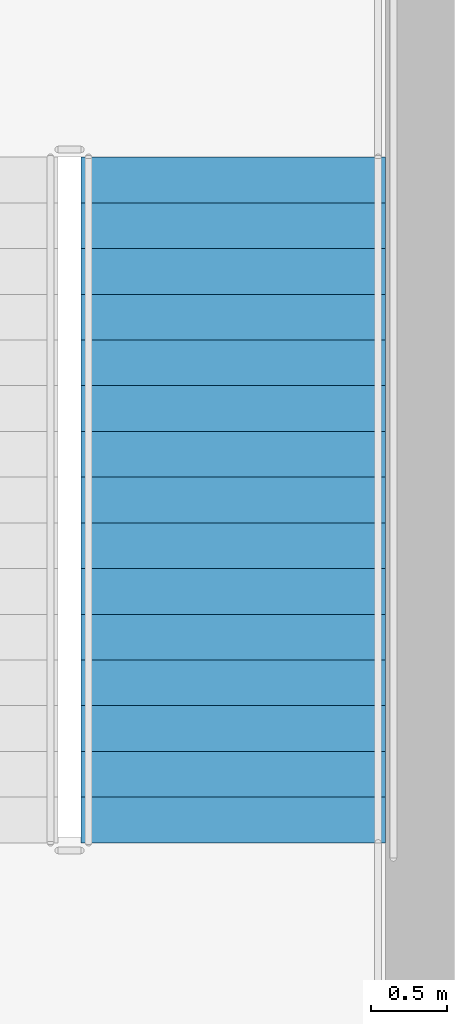
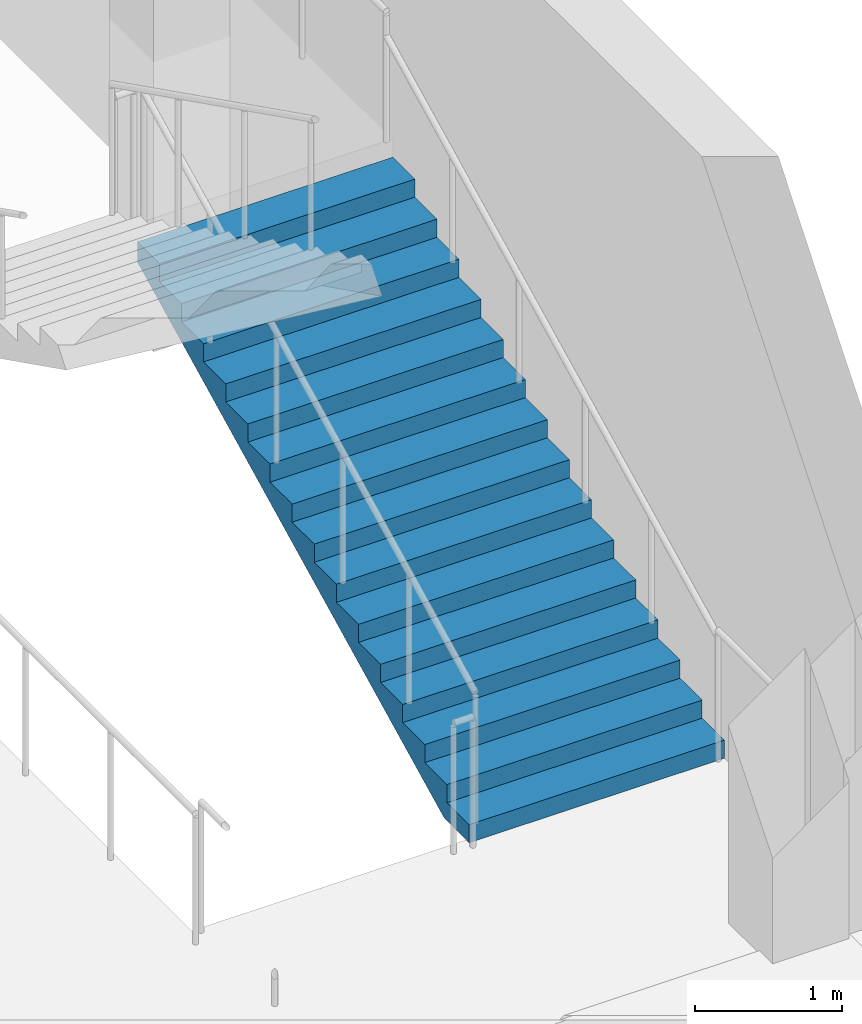
# One storey, part 64 of 86: 1 stair flight, 1 element without a shape of its own.
"""IFC4 building model written with IfcOpenShell, lengths in metres."""

import ifcopenshell
import ifcopenshell.guid

model = None  # the IFC model being written
_history = None  # IfcOwnerHistory: only IFC2X3 demands one
_inside = {}  # id of a spatial element -> (the spatial element, [elements in it])
_under = {}  # id of a project, library or spatial element -> (it, [spatial elements below it])
_declared = {}  # id of a project -> (the project, [libraries it declares])
_typed = {}  # id of a type object -> (the type object, [elements of that type])
_made_of = {}  # id of a material, layer set ... -> (it, [elements and type objects made of it])


def new_model(schema):
    """Start an empty IFC model of exactly this schema.

    Asked for "IFC4X3", IfcOpenShell would pick the latest addendum, in which some entities
    have other attributes; the version numbers below select the first issue.
    IFC2X3 requires an IfcOwnerHistory on every rooted entity: one is made here for all.
    """
    global model, _history
    if schema == "IFC4X3":
        model = ifcopenshell.file(schema_version=(4, 3, 0, 0))
    else:
        model = ifcopenshell.file(schema=schema)
    _inside.clear()
    _under.clear()
    _declared.clear()
    _typed.clear()
    _made_of.clear()
    _history = None
    if model.schema == "IFC2X3":
        org = make("IfcOrganization", Name="unknown")
        user = make(
            "IfcPersonAndOrganization",
            ThePerson=make("IfcPerson", FamilyName="unknown"),
            TheOrganization=org,
        )
        app = make(
            "IfcApplication",
            ApplicationDeveloper=org,
            Version="unknown",
            ApplicationFullName="unknown",
            ApplicationIdentifier="unknown",
        )
        _history = make(
            "IfcOwnerHistory",
            OwningUser=user,
            OwningApplication=app,
            ChangeAction="ADDED",
            CreationDate=0,
        )
    return model


def make(cls, **values):
    """One entity of the class cls with the attributes given. An attribute that is None is left unset."""
    return model.create_entity(
        cls, **{name: value for name, value in values.items() if value is not None}
    )


def rooted(cls, **values):
    """An entity with a GlobalId (a new one), such as an element, a storey or a relation."""
    return make(cls, GlobalId=ifcopenshell.guid.new(), OwnerHistory=_history, **values)


def si_unit(unit_type, name, prefix=None):
    """IfcSIUnit, for example si_unit("LENGTHUNIT", "METRE", prefix="MILLI")."""
    return make("IfcSIUnit", UnitType=unit_type, Prefix=prefix, Name=name)


def assignment(units):
    """IfcUnitAssignment: the units of a project."""
    return None if units is None else make("IfcUnitAssignment", Units=units)


def point(xyz):
    """IfcCartesianPoint."""
    return None if xyz is None else make("IfcCartesianPoint", Coordinates=xyz)


def direction(xyz):
    """IfcDirection."""
    return None if xyz is None else make("IfcDirection", DirectionRatios=xyz)


def frame(location, z_axis=None, x_axis=None):
    """IfcAxis2Placement3D, a coordinate frame: its origin and axes. An axis left out is left unset."""
    return make(
        "IfcAxis2Placement3D",
        Location=point(location),
        Axis=direction(z_axis),
        RefDirection=direction(x_axis),
    )


def origin():
    """The frame at (0, 0, 0) with its axes left unset."""
    return frame((0.0, 0.0, 0.0))


def place(relative_to, where):
    """IfcLocalPlacement: puts the frame where relative to a parent placement (None: the world)."""
    return make(
        "IfcLocalPlacement", PlacementRelTo=relative_to, RelativePlacement=where
    )


def context(
    kind, dimensions, precision=None, world=None, true_north=None, identifier=None
):
    """IfcGeometricRepresentationContext, for example the 3D "Model" context."""
    return make(
        "IfcGeometricRepresentationContext",
        ContextIdentifier=identifier,
        ContextType=kind,
        CoordinateSpaceDimension=dimensions,
        Precision=precision,
        WorldCoordinateSystem=world,
        TrueNorth=true_north,
    )


def subcontext(parent, identifier, kind, view, scale=None):
    """IfcGeometricRepresentationSubContext, for example "Body" below "Model"."""
    return make(
        "IfcGeometricRepresentationSubContext",
        ContextIdentifier=identifier,
        ContextType=kind,
        ParentContext=parent,
        TargetScale=scale,
        TargetView=view,
    )


def project(units=None, contexts=None):
    """IfcProject with its units and contexts."""
    return rooted(
        "IfcProject",
        Name="project",
        RepresentationContexts=contexts,
        UnitsInContext=assignment(units),
    )


def spatial(cls, under=None, at=None, **own):
    """A site, building, storey or space (cls), placed at a placement, below another one or the project."""
    s = rooted(cls, ObjectPlacement=at, **own)
    if under is not None:
        _under.setdefault(under.id(), (under, []))[1].append(s)
    return s


def faces_of(points, faces, orient=None, outer=None):
    """IfcFace entities. A face is a list of loops; a loop is a list of indices into points, from 0.

    orient and outer hold one flag for each loop. By default every Orientation is true, the
    first loop of a face is its IfcFaceOuterBound and the others are IfcFaceBound.
    """
    made = []
    for i, loops in enumerate(faces):
        bounds = []
        for j, loop in enumerate(loops):
            is_outer = j == 0 if outer is None else outer[i][j]
            bounds.append(
                make(
                    "IfcFaceOuterBound" if is_outer else "IfcFaceBound",
                    Bound=make("IfcPolyLoop", Polygon=[points[k] for k in loop]),
                    Orientation=True if orient is None else orient[i][j],
                )
            )
        made.append(make("IfcFace", Bounds=bounds))
    return made


def faceted_brep(points, faces, orient=None, outer=None, voids=None):
    """IfcFacetedBrep: a solid bounded by flat faces; with voids (closed shells), ...WithVoids."""
    shared = [point(p) for p in points]
    hull = make("IfcClosedShell", CfsFaces=faces_of(shared, faces, orient, outer))
    if voids is None:
        return make("IfcFacetedBrep", Outer=hull)
    return make(
        "IfcFacetedBrepWithVoids",
        Outer=hull,
        Voids=[
            make(cls, CfsFaces=faces_of(shared, fs, o, b)) for cls, fs, o, b in voids
        ],
    )


def shape(context_of_items, identifier, shape_type, items):
    """IfcShapeRepresentation: the items that make up one representation, for example the "Body"."""
    return make(
        "IfcShapeRepresentation",
        ContextOfItems=context_of_items,
        RepresentationIdentifier=identifier,
        RepresentationType=shape_type,
        Items=items,
    )


def material(Name=None, Category=None):
    """IfcMaterial."""
    return make("IfcMaterial", Name=Name, Category=Category)


def made_of(thing, what):
    """Note that an element or type object is made of a material, layer set ...; save() writes the relation."""
    if what is not None:
        _made_of.setdefault(what.id(), (what, []))[1].append(thing)
    return thing


def type_object(cls, material=None, **own):
    """A type object (cls), such as IfcWallType, which elements share."""
    return made_of(rooted(cls, **own), material)


def element(
    cls,
    number,
    at=None,
    inside=None,
    cuts=None,
    type_object=None,
    material=None,
    context=None,
    identifier="Body",
    shape_type=None,
    held_by="IfcProductDefinitionShape",
    body=None,
    shapes=None,
    **own,
):
    """One element of the class cls, such as IfcWall. Its Tag is "e" and its number.

    at: its placement. inside: the storey or other place that contains it. cuts: it is an
    opening in that element (IfcRelVoidsElement). A single representation is given by context,
    identifier, shape_type and body (its items); several are given by shapes. held_by: the class
    of the entity that holds the representations. save() writes the other relations.
    """
    e = rooted(cls, Tag="e%d" % number, ObjectPlacement=at, **own)
    if body is not None:
        shapes = [shape(context, identifier, shape_type, body)]
    if shapes is not None:
        e.Representation = make(held_by, Representations=shapes)
    if inside is not None:
        _inside.setdefault(inside.id(), (inside, []))[1].append(e)
    if cuts is not None:
        rooted(
            "IfcRelVoidsElement", RelatingBuildingElement=cuts, RelatedOpeningElement=e
        )
    if type_object is not None:
        _typed.setdefault(type_object.id(), (type_object, []))[1].append(e)
    return made_of(e, material)


def aggregate(whole, parts):
    """IfcRelAggregates: a whole, such as a stair, and the parts it consists of."""
    return rooted("IfcRelAggregates", RelatingObject=whole, RelatedObjects=parts)


def save(model, path):
    """Write the relations noted so far, then the file.

    IfcRelAggregates (storeys below a building ...), IfcRelContainedInSpatialStructure (elements
    in a storey), IfcRelDefinesByType, IfcRelAssociatesMaterial and IfcRelDeclares: one each for
    every whole, place, type object, material and project.
    """
    for whole, parts in _under.values():
        aggregate(whole, parts)
    for where, things in _inside.values():
        rooted(
            "IfcRelContainedInSpatialStructure",
            RelatedElements=things,
            RelatingStructure=where,
        )
    for kind, things in _typed.values():
        rooted("IfcRelDefinesByType", RelatedObjects=things, RelatingType=kind)
    for what, things in _made_of.values():
        rooted("IfcRelAssociatesMaterial", RelatedObjects=things, RelatingMaterial=what)
    for by, libraries in _declared.values():
        rooted("IfcRelDeclares", RelatingContext=by, RelatedDefinitions=libraries)
    model.write(path)


model = new_model("IFC4")

# Units and contexts
model_context = context("Model", 3, precision=1e-05, world=origin(), true_north=direction((0.0, 1.0)))
body_context = subcontext(model_context, "Body", "Model", "MODEL_VIEW")
ifc_project = project(units=[si_unit("LENGTHUNIT", "METRE"), si_unit("AREAUNIT", "SQUARE_METRE"), si_unit("VOLUMEUNIT", "CUBIC_METRE"), si_unit("PLANEANGLEUNIT", "RADIAN"), si_unit("MASSUNIT", "GRAM", prefix="KILO")], contexts=[model_context])

# Site, building, storey
site_placement = place(None, origin())
site = spatial("IfcSite", under=ifc_project, at=site_placement, CompositionType="ELEMENT")
building_placement = place(site_placement, origin())
building = spatial("IfcBuilding", under=site, at=building_placement, Name="Kiln Court Media Centre", CompositionType="ELEMENT")
storey_placement = place(building_placement, frame((0.0, 0.0, 10.199951171875)))
storey = spatial("IfcBuildingStorey", under=building, at=storey_placement, Name="L02", CompositionType="ELEMENT", Elevation=10.199951171875)

# Stair, stair flight
ifc_material_1 = material(Name="Concrete C40/50", Category="concrete")
stair_type = type_object("IfcStairType", Name="Concrete C40/50 dog-leg stair 2000 wide, 150 riser", PredefinedType="HALF_TURN_STAIR", material=ifc_material_1)
stair_placement = place(storey_placement, origin())
stair = element("IfcStair", 1, at=stair_placement, inside=storey, type_object=stair_type, Name="ST-F1 L02", PredefinedType="HALF_TURN_STAIR")
ifc_material_2 = material(Name="Concrete C40/50", Category="concrete")
stair_flight_type = type_object("IfcStairFlightType", Name="Concrete C40/50 stair flight 2000 wide, 150 riser, 300 going", PredefinedType="STRAIGHT", material=ifc_material_2)
stair_flight_placement = place(storey_placement, frame((57.800048828125, 35.60009765625, 0.0), z_axis=(0.0, 0.0, 1.0), x_axis=(0.0, 1.0, 0.0)))
stair_flight = element("IfcStairFlight", 2, at=stair_flight_placement, type_object=stair_flight_type, Name="L02-ST-5010 flight 5020", NumberOfRisers=16, NumberOfTreads=15, PredefinedType="STRAIGHT", RiserHeight=0.15, TreadLength=0.3, context=body_context, shape_type="Brep", body=[
    faceted_brep([(0.335205078125, -1.0, 0.0), (4.5, -1.0, 2.08251953125), (4.5, -1.0, 2.25), (4.199951171875, -1.0, 2.25), (4.199951171875, -1.0, 2.10009765625), (3.89990234375, -1.0, 2.10009765625), (3.89990234375, -1.0, 1.949951171875), (3.60009765625, -1.0, 1.949951171875), (3.60009765625, -1.0, 1.800048828125), (3.300048828125, -1.0, 1.800048828125), (3.300048828125, -1.0, 1.64990234375), (3.0, -1.0, 1.64990234375), (3.0, -1.0, 1.5), (2.699951171875, -1.0, 1.5), (2.699951171875, -1.0, 1.35009765625), (2.39990234375, -1.0, 1.35009765625), (2.39990234375, -1.0, 1.199951171875), (2.10009765625, -1.0, 1.199951171875), (2.10009765625, -1.0, 1.050048828125), (1.800048828125, -1.0, 1.050048828125), (1.800048828125, -1.0, 0.89990234375), (1.5, -1.0, 0.89990234375), (1.5, -1.0, 0.75), (1.199951171875, -1.0, 0.75), (1.199951171875, -1.0, 0.60009765625), (0.89990234375, -1.0, 0.60009765625), (0.89990234375, -1.0, 0.449951171875), (0.60009765625, -1.0, 0.449951171875), (0.60009765625, -1.0, 0.300048828125), (0.300048828125, -1.0, 0.300048828125), (0.300048828125, -1.0, 0.14990234375), (0.0, -1.0, 0.14990234375), (0.0, -1.0, 0.0), (0.0, 1.0, 0.0), (0.0, 1.0, 0.14990234375), (0.300048828125, 1.0, 0.14990234375), (0.300048828125, 1.0, 0.300048828125), (0.60009765625, 1.0, 0.300048828125), (0.60009765625, 1.0, 0.449951171875), (0.89990234375, 1.0, 0.449951171875), (0.89990234375, 1.0, 0.60009765625), (1.199951171875, 1.0, 0.60009765625), (1.199951171875, 1.0, 0.75), (1.5, 1.0, 0.75), (1.5, 1.0, 0.89990234375), (1.800048828125, 1.0, 0.89990234375), (1.800048828125, 1.0, 1.050048828125), (2.10009765625, 1.0, 1.050048828125), (2.10009765625, 1.0, 1.199951171875), (2.39990234375, 1.0, 1.199951171875), (2.39990234375, 1.0, 1.35009765625), (2.699951171875, 1.0, 1.35009765625), (2.699951171875, 1.0, 1.5), (3.0, 1.0, 1.5), (3.0, 1.0, 1.64990234375), (3.300048828125, 1.0, 1.64990234375), (3.300048828125, 1.0, 1.800048828125), (3.60009765625, 1.0, 1.800048828125), (3.60009765625, 1.0, 1.949951171875), (3.89990234375, 1.0, 1.949951171875), (3.89990234375, 1.0, 2.10009765625), (4.199951171875, 1.0, 2.10009765625), (4.199951171875, 1.0, 2.25), (4.5, 1.0, 2.25), (4.5, 1.0, 2.08251953125), (0.335205078125, 1.0, 0.0), (4.5, 0.10009765625, 2.08251953125), (0.335205078125, 0.10009765625, 0.0), (4.5, 0.080078125, 2.08251953125), (0.335205078125, 0.080078125, 0.0), (4.5, 0.06005859375, 2.08251953125), (0.335205078125, 0.06005859375, 0.0), (4.5, 0.0400390625, 2.08251953125), (0.335205078125, 0.0400390625, 0.0), (4.5, 0.02001953125, 2.08251953125), (0.335205078125, 0.02001953125, 0.0), (4.5, 0.0, 2.08251953125), (0.335205078125, 0.0, 0.0), (4.5, -0.02001953125, 2.08251953125), (0.335205078125, -0.02001953125, 0.0), (4.5, -0.0400390625, 2.08251953125), (0.335205078125, -0.0400390625, 0.0), (4.5, -0.06005859375, 2.08251953125), (0.335205078125, -0.06005859375, 0.0), (4.5, -0.080078125, 2.08251953125), (0.335205078125, -0.080078125, 0.0), (4.5, -0.10009765625, 2.08251953125), (0.335205078125, -0.10009765625, 0.0), (4.5, 0.10009765625, 2.25), (4.5, 0.080078125, 2.25), (4.5, 0.06005859375, 2.25), (4.5, 0.0400390625, 2.25), (4.5, 0.02001953125, 2.25), (4.5, 0.0, 2.25), (4.5, -0.02001953125, 2.25), (4.5, -0.0400390625, 2.25), (4.5, -0.06005859375, 2.25), (4.5, -0.080078125, 2.25), (4.5, -0.10009765625, 2.25), (4.199951171875, 0.10009765625, 2.25), (4.199951171875, 0.080078125, 2.25), (4.199951171875, 0.06005859375, 2.25), (4.199951171875, 0.0400390625, 2.25), (4.199951171875, 0.02001953125, 2.25), (4.199951171875, 0.0, 2.25), (4.199951171875, -0.02001953125, 2.25), (4.199951171875, -0.0400390625, 2.25), (4.199951171875, -0.06005859375, 2.25), (4.199951171875, -0.080078125, 2.25), (4.199951171875, -0.10009765625, 2.25), (4.199951171875, 0.10009765625, 2.10009765625), (4.199951171875, 0.080078125, 2.10009765625), (4.199951171875, 0.06005859375, 2.10009765625), (4.199951171875, 0.0400390625, 2.10009765625), (4.199951171875, 0.02001953125, 2.10009765625), (4.199951171875, 0.0, 2.10009765625), (4.199951171875, -0.02001953125, 2.10009765625), (4.199951171875, -0.0400390625, 2.10009765625), (4.199951171875, -0.06005859375, 2.10009765625), (4.199951171875, -0.080078125, 2.10009765625), (4.199951171875, -0.10009765625, 2.10009765625), (3.89990234375, 0.10009765625, 2.10009765625), (3.89990234375, 0.080078125, 2.10009765625), (3.89990234375, 0.06005859375, 2.10009765625), (3.89990234375, 0.0400390625, 2.10009765625), (3.89990234375, 0.02001953125, 2.10009765625), (3.89990234375, 0.0, 2.10009765625), (3.89990234375, -0.02001953125, 2.10009765625), (3.89990234375, -0.0400390625, 2.10009765625), (3.89990234375, -0.06005859375, 2.10009765625), (3.89990234375, -0.080078125, 2.10009765625), (3.89990234375, -0.10009765625, 2.10009765625), (3.89990234375, 0.10009765625, 1.949951171875), (3.89990234375, 0.080078125, 1.949951171875), (3.89990234375, 0.06005859375, 1.949951171875), (3.89990234375, 0.0400390625, 1.949951171875), (3.89990234375, 0.02001953125, 1.949951171875), (3.89990234375, 0.0, 1.949951171875), (3.89990234375, -0.02001953125, 1.949951171875), (3.89990234375, -0.0400390625, 1.949951171875), (3.89990234375, -0.06005859375, 1.949951171875), (3.89990234375, -0.080078125, 1.949951171875), (3.89990234375, -0.10009765625, 1.949951171875), (3.60009765625, 0.10009765625, 1.949951171875), (3.60009765625, 0.080078125, 1.949951171875), (3.60009765625, 0.06005859375, 1.949951171875), (3.60009765625, 0.0400390625, 1.949951171875), (3.60009765625, 0.02001953125, 1.949951171875), (3.60009765625, 0.0, 1.949951171875), (3.60009765625, -0.02001953125, 1.949951171875), (3.60009765625, -0.0400390625, 1.949951171875), (3.60009765625, -0.06005859375, 1.949951171875), (3.60009765625, -0.080078125, 1.949951171875), (3.60009765625, -0.10009765625, 1.949951171875), (3.60009765625, 0.10009765625, 1.800048828125), (3.60009765625, 0.080078125, 1.800048828125), (3.60009765625, 0.06005859375, 1.800048828125), (3.60009765625, 0.0400390625, 1.800048828125), (3.60009765625, 0.02001953125, 1.800048828125), (3.60009765625, 0.0, 1.800048828125), (3.60009765625, -0.02001953125, 1.800048828125), (3.60009765625, -0.0400390625, 1.800048828125), (3.60009765625, -0.06005859375, 1.800048828125), (3.60009765625, -0.080078125, 1.800048828125), (3.60009765625, -0.10009765625, 1.800048828125), (3.300048828125, 0.10009765625, 1.800048828125), (3.300048828125, 0.080078125, 1.800048828125), (3.300048828125, 0.06005859375, 1.800048828125), (3.300048828125, 0.0400390625, 1.800048828125), (3.300048828125, 0.02001953125, 1.800048828125), (3.300048828125, 0.0, 1.800048828125), (3.300048828125, -0.02001953125, 1.800048828125), (3.300048828125, -0.0400390625, 1.800048828125), (3.300048828125, -0.06005859375, 1.800048828125), (3.300048828125, -0.080078125, 1.800048828125), (3.300048828125, -0.10009765625, 1.800048828125), (3.300048828125, 0.10009765625, 1.64990234375), (3.300048828125, 0.080078125, 1.64990234375), (3.300048828125, 0.06005859375, 1.64990234375), (3.300048828125, 0.0400390625, 1.64990234375), (3.300048828125, 0.02001953125, 1.64990234375), (3.300048828125, 0.0, 1.64990234375), (3.300048828125, -0.02001953125, 1.64990234375), (3.300048828125, -0.0400390625, 1.64990234375), (3.300048828125, -0.06005859375, 1.64990234375), (3.300048828125, -0.080078125, 1.64990234375), (3.300048828125, -0.10009765625, 1.64990234375), (3.0, 0.10009765625, 1.64990234375), (3.0, 0.080078125, 1.64990234375), (3.0, 0.06005859375, 1.64990234375), (3.0, 0.0400390625, 1.64990234375), (3.0, 0.02001953125, 1.64990234375), (3.0, 0.0, 1.64990234375), (3.0, -0.02001953125, 1.64990234375), (3.0, -0.0400390625, 1.64990234375), (3.0, -0.06005859375, 1.64990234375), (3.0, -0.080078125, 1.64990234375), (3.0, -0.10009765625, 1.64990234375), (3.0, 0.10009765625, 1.5), (3.0, 0.080078125, 1.5), (3.0, 0.06005859375, 1.5), (3.0, 0.0400390625, 1.5), (3.0, 0.02001953125, 1.5), (3.0, 0.0, 1.5), (3.0, -0.02001953125, 1.5), (3.0, -0.0400390625, 1.5), (3.0, -0.06005859375, 1.5), (3.0, -0.080078125, 1.5), (3.0, -0.10009765625, 1.5), (2.699951171875, 0.10009765625, 1.5), (2.699951171875, 0.080078125, 1.5), (2.699951171875, 0.06005859375, 1.5), (2.699951171875, 0.0400390625, 1.5), (2.699951171875, 0.02001953125, 1.5), (2.699951171875, 0.0, 1.5), (2.699951171875, -0.02001953125, 1.5), (2.699951171875, -0.0400390625, 1.5), (2.699951171875, -0.06005859375, 1.5), (2.699951171875, -0.080078125, 1.5), (2.699951171875, -0.10009765625, 1.5), (2.699951171875, 0.10009765625, 1.35009765625), (2.699951171875, 0.080078125, 1.35009765625), (2.699951171875, 0.06005859375, 1.35009765625), (2.699951171875, 0.0400390625, 1.35009765625), (2.699951171875, 0.02001953125, 1.35009765625), (2.699951171875, 0.0, 1.35009765625), (2.699951171875, -0.02001953125, 1.35009765625), (2.699951171875, -0.0400390625, 1.35009765625), (2.699951171875, -0.06005859375, 1.35009765625), (2.699951171875, -0.080078125, 1.35009765625), (2.699951171875, -0.10009765625, 1.35009765625), (2.39990234375, 0.10009765625, 1.35009765625), (2.39990234375, 0.080078125, 1.35009765625), (2.39990234375, 0.06005859375, 1.35009765625), (2.39990234375, 0.0400390625, 1.35009765625), (2.39990234375, 0.02001953125, 1.35009765625), (2.39990234375, 0.0, 1.35009765625), (2.39990234375, -0.02001953125, 1.35009765625), (2.39990234375, -0.0400390625, 1.35009765625), (2.39990234375, -0.06005859375, 1.35009765625), (2.39990234375, -0.080078125, 1.35009765625), (2.39990234375, -0.10009765625, 1.35009765625), (2.39990234375, 0.10009765625, 1.199951171875), (2.39990234375, 0.080078125, 1.199951171875), (2.39990234375, 0.06005859375, 1.199951171875), (2.39990234375, 0.0400390625, 1.199951171875), (2.39990234375, 0.02001953125, 1.199951171875), (2.39990234375, 0.0, 1.199951171875), (2.39990234375, -0.02001953125, 1.199951171875), (2.39990234375, -0.0400390625, 1.199951171875), (2.39990234375, -0.06005859375, 1.199951171875), (2.39990234375, -0.080078125, 1.199951171875), (2.39990234375, -0.10009765625, 1.199951171875), (2.10009765625, 0.10009765625, 1.199951171875), (2.10009765625, 0.080078125, 1.199951171875), (2.10009765625, 0.06005859375, 1.199951171875), (2.10009765625, 0.0400390625, 1.199951171875), (2.10009765625, 0.02001953125, 1.199951171875), (2.10009765625, 0.0, 1.199951171875), (2.10009765625, -0.02001953125, 1.199951171875), (2.10009765625, -0.0400390625, 1.199951171875), (2.10009765625, -0.06005859375, 1.199951171875), (2.10009765625, -0.080078125, 1.199951171875), (2.10009765625, -0.10009765625, 1.199951171875), (2.10009765625, 0.10009765625, 1.050048828125), (2.10009765625, 0.080078125, 1.050048828125), (2.10009765625, 0.06005859375, 1.050048828125), (2.10009765625, 0.0400390625, 1.050048828125), (2.10009765625, 0.02001953125, 1.050048828125), (2.10009765625, 0.0, 1.050048828125), (2.10009765625, -0.02001953125, 1.050048828125), (2.10009765625, -0.0400390625, 1.050048828125), (2.10009765625, -0.06005859375, 1.050048828125), (2.10009765625, -0.080078125, 1.050048828125), (2.10009765625, -0.10009765625, 1.050048828125), (1.800048828125, 0.10009765625, 1.050048828125), (1.800048828125, 0.080078125, 1.050048828125), (1.800048828125, 0.06005859375, 1.050048828125), (1.800048828125, 0.0400390625, 1.050048828125), (1.800048828125, 0.02001953125, 1.050048828125), (1.800048828125, 0.0, 1.050048828125), (1.800048828125, -0.02001953125, 1.050048828125), (1.800048828125, -0.0400390625, 1.050048828125), (1.800048828125, -0.06005859375, 1.050048828125), (1.800048828125, -0.080078125, 1.050048828125), (1.800048828125, -0.10009765625, 1.050048828125), (1.800048828125, 0.10009765625, 0.89990234375), (1.800048828125, 0.080078125, 0.89990234375), (1.800048828125, 0.06005859375, 0.89990234375), (1.800048828125, 0.0400390625, 0.89990234375), (1.800048828125, 0.02001953125, 0.89990234375), (1.800048828125, 0.0, 0.89990234375), (1.800048828125, -0.02001953125, 0.89990234375), (1.800048828125, -0.0400390625, 0.89990234375), (1.800048828125, -0.06005859375, 0.89990234375), (1.800048828125, -0.080078125, 0.89990234375), (1.800048828125, -0.10009765625, 0.89990234375), (1.5, 0.10009765625, 0.89990234375), (1.5, 0.080078125, 0.89990234375), (1.5, 0.06005859375, 0.89990234375), (1.5, 0.0400390625, 0.89990234375), (1.5, 0.02001953125, 0.89990234375), (1.5, 0.0, 0.89990234375), (1.5, -0.02001953125, 0.89990234375), (1.5, -0.0400390625, 0.89990234375), (1.5, -0.06005859375, 0.89990234375), (1.5, -0.080078125, 0.89990234375), (1.5, -0.10009765625, 0.89990234375), (1.5, 0.10009765625, 0.75), (1.5, 0.080078125, 0.75), (1.5, 0.06005859375, 0.75), (1.5, 0.0400390625, 0.75), (1.5, 0.02001953125, 0.75), (1.5, 0.0, 0.75), (1.5, -0.02001953125, 0.75), (1.5, -0.0400390625, 0.75), (1.5, -0.06005859375, 0.75), (1.5, -0.080078125, 0.75), (1.5, -0.10009765625, 0.75), (1.199951171875, 0.10009765625, 0.75), (1.199951171875, 0.080078125, 0.75), (1.199951171875, 0.06005859375, 0.75), (1.199951171875, 0.0400390625, 0.75), (1.199951171875, 0.02001953125, 0.75), (1.199951171875, 0.0, 0.75), (1.199951171875, -0.02001953125, 0.75), (1.199951171875, -0.0400390625, 0.75), (1.199951171875, -0.06005859375, 0.75), (1.199951171875, -0.080078125, 0.75), (1.199951171875, -0.10009765625, 0.75), (1.199951171875, 0.10009765625, 0.60009765625), (1.199951171875, 0.080078125, 0.60009765625), (1.199951171875, 0.06005859375, 0.60009765625), (1.199951171875, 0.0400390625, 0.60009765625), (1.199951171875, 0.02001953125, 0.60009765625), (1.199951171875, 0.0, 0.60009765625), (1.199951171875, -0.02001953125, 0.60009765625), (1.199951171875, -0.0400390625, 0.60009765625), (1.199951171875, -0.06005859375, 0.60009765625), (1.199951171875, -0.080078125, 0.60009765625), (1.199951171875, -0.10009765625, 0.60009765625), (0.89990234375, 0.10009765625, 0.60009765625), (0.89990234375, 0.080078125, 0.60009765625), (0.89990234375, 0.06005859375, 0.60009765625), (0.89990234375, 0.0400390625, 0.60009765625), (0.89990234375, 0.02001953125, 0.60009765625), (0.89990234375, 0.0, 0.60009765625), (0.89990234375, -0.02001953125, 0.60009765625), (0.89990234375, -0.0400390625, 0.60009765625), (0.89990234375, -0.06005859375, 0.60009765625), (0.89990234375, -0.080078125, 0.60009765625), (0.89990234375, -0.10009765625, 0.60009765625), (0.89990234375, 0.10009765625, 0.449951171875), (0.89990234375, 0.080078125, 0.449951171875), (0.89990234375, 0.06005859375, 0.449951171875), (0.89990234375, 0.0400390625, 0.449951171875), (0.89990234375, 0.02001953125, 0.449951171875), (0.89990234375, 0.0, 0.449951171875), (0.89990234375, -0.02001953125, 0.449951171875), (0.89990234375, -0.0400390625, 0.449951171875), (0.89990234375, -0.06005859375, 0.449951171875), (0.89990234375, -0.080078125, 0.449951171875), (0.89990234375, -0.10009765625, 0.449951171875), (0.60009765625, 0.10009765625, 0.449951171875), (0.60009765625, 0.080078125, 0.449951171875), (0.60009765625, 0.06005859375, 0.449951171875), (0.60009765625, 0.0400390625, 0.449951171875), (0.60009765625, 0.02001953125, 0.449951171875), (0.60009765625, 0.0, 0.449951171875), (0.60009765625, -0.02001953125, 0.449951171875), (0.60009765625, -0.0400390625, 0.449951171875), (0.60009765625, -0.06005859375, 0.449951171875), (0.60009765625, -0.080078125, 0.449951171875), (0.60009765625, -0.10009765625, 0.449951171875), (0.60009765625, 0.10009765625, 0.300048828125), (0.60009765625, 0.080078125, 0.300048828125), (0.60009765625, 0.06005859375, 0.300048828125), (0.60009765625, 0.0400390625, 0.300048828125), (0.60009765625, 0.02001953125, 0.300048828125), (0.60009765625, 0.0, 0.300048828125), (0.60009765625, -0.02001953125, 0.300048828125), (0.60009765625, -0.0400390625, 0.300048828125), (0.60009765625, -0.06005859375, 0.300048828125), (0.60009765625, -0.080078125, 0.300048828125), (0.60009765625, -0.10009765625, 0.300048828125), (0.300048828125, 0.10009765625, 0.300048828125), (0.300048828125, 0.080078125, 0.300048828125), (0.300048828125, 0.06005859375, 0.300048828125), (0.300048828125, 0.0400390625, 0.300048828125), (0.300048828125, 0.02001953125, 0.300048828125), (0.300048828125, 0.0, 0.300048828125), (0.300048828125, -0.02001953125, 0.300048828125), (0.300048828125, -0.0400390625, 0.300048828125), (0.300048828125, -0.06005859375, 0.300048828125), (0.300048828125, -0.080078125, 0.300048828125), (0.300048828125, -0.10009765625, 0.300048828125), (0.300048828125, 0.10009765625, 0.14990234375), (0.300048828125, 0.080078125, 0.14990234375), (0.300048828125, 0.06005859375, 0.14990234375), (0.300048828125, 0.0400390625, 0.14990234375), (0.300048828125, 0.02001953125, 0.14990234375), (0.300048828125, 0.0, 0.14990234375), (0.300048828125, -0.02001953125, 0.14990234375), (0.300048828125, -0.0400390625, 0.14990234375), (0.300048828125, -0.06005859375, 0.14990234375), (0.300048828125, -0.080078125, 0.14990234375), (0.300048828125, -0.10009765625, 0.14990234375), (0.0, 0.10009765625, 0.14990234375), (0.0, 0.080078125, 0.14990234375), (0.0, 0.06005859375, 0.14990234375), (0.0, 0.0400390625, 0.14990234375), (0.0, 0.02001953125, 0.14990234375), (0.0, 0.0, 0.14990234375), (0.0, -0.02001953125, 0.14990234375), (0.0, -0.0400390625, 0.14990234375), (0.0, -0.06005859375, 0.14990234375), (0.0, -0.080078125, 0.14990234375), (0.0, -0.10009765625, 0.14990234375), (0.0, 0.10009765625, 0.0), (0.0, 0.080078125, 0.0), (0.0, 0.06005859375, 0.0), (0.0, 0.0400390625, 0.0), (0.0, 0.02001953125, 0.0), (0.0, 0.0, 0.0), (0.0, -0.02001953125, 0.0), (0.0, -0.0400390625, 0.0), (0.0, -0.06005859375, 0.0), (0.0, -0.080078125, 0.0), (0.0, -0.10009765625, 0.0)], [[[0, 1, 2, 3, 4, 5, 6, 7, 8, 9, 10, 11, 12, 13, 14, 15, 16, 17, 18, 19, 20, 21, 22, 23, 24, 25, 26, 27, 28, 29, 30, 31, 32]], [[33, 34, 35, 36, 37, 38, 39, 40, 41, 42, 43, 44, 45, 46, 47, 48, 49, 50, 51, 52, 53, 54, 55, 56, 57, 58, 59, 60, 61, 62, 63, 64, 65]], [[65, 64, 66, 67]], [[67, 66, 68, 69]], [[69, 68, 70, 71]], [[71, 70, 72, 73]], [[73, 72, 74, 75]], [[75, 74, 76, 77]], [[77, 76, 78, 79]], [[79, 78, 80, 81]], [[81, 80, 82, 83]], [[83, 82, 84, 85]], [[85, 84, 86, 87]], [[87, 86, 1, 0]], [[64, 63, 88, 66]], [[66, 88, 89, 68]], [[68, 89, 90, 70]], [[70, 90, 91, 72]], [[72, 91, 92, 74]], [[74, 92, 93, 76]], [[76, 93, 94, 78]], [[78, 94, 95, 80]], [[80, 95, 96, 82]], [[82, 96, 97, 84]], [[84, 97, 98, 86]], [[86, 98, 2, 1]], [[63, 62, 99, 88]], [[88, 99, 100, 89]], [[89, 100, 101, 90]], [[90, 101, 102, 91]], [[91, 102, 103, 92]], [[92, 103, 104, 93]], [[93, 104, 105, 94]], [[94, 105, 106, 95]], [[95, 106, 107, 96]], [[96, 107, 108, 97]], [[97, 108, 109, 98]], [[98, 109, 3, 2]], [[62, 61, 110, 99]], [[99, 110, 111, 100]], [[100, 111, 112, 101]], [[101, 112, 113, 102]], [[102, 113, 114, 103]], [[103, 114, 115, 104]], [[104, 115, 116, 105]], [[105, 116, 117, 106]], [[106, 117, 118, 107]], [[107, 118, 119, 108]], [[108, 119, 120, 109]], [[109, 120, 4, 3]], [[61, 60, 121, 110]], [[110, 121, 122, 111]], [[111, 122, 123, 112]], [[112, 123, 124, 113]], [[113, 124, 125, 114]], [[114, 125, 126, 115]], [[115, 126, 127, 116]], [[116, 127, 128, 117]], [[117, 128, 129, 118]], [[118, 129, 130, 119]], [[119, 130, 131, 120]], [[120, 131, 5, 4]], [[60, 59, 132, 121]], [[121, 132, 133, 122]], [[122, 133, 134, 123]], [[123, 134, 135, 124]], [[124, 135, 136, 125]], [[125, 136, 137, 126]], [[126, 137, 138, 127]], [[127, 138, 139, 128]], [[128, 139, 140, 129]], [[129, 140, 141, 130]], [[130, 141, 142, 131]], [[131, 142, 6, 5]], [[59, 58, 143, 132]], [[132, 143, 144, 133]], [[133, 144, 145, 134]], [[134, 145, 146, 135]], [[135, 146, 147, 136]], [[136, 147, 148, 137]], [[137, 148, 149, 138]], [[138, 149, 150, 139]], [[139, 150, 151, 140]], [[140, 151, 152, 141]], [[141, 152, 153, 142]], [[142, 153, 7, 6]], [[58, 57, 154, 143]], [[143, 154, 155, 144]], [[144, 155, 156, 145]], [[145, 156, 157, 146]], [[146, 157, 158, 147]], [[147, 158, 159, 148]], [[148, 159, 160, 149]], [[149, 160, 161, 150]], [[150, 161, 162, 151]], [[151, 162, 163, 152]], [[152, 163, 164, 153]], [[153, 164, 8, 7]], [[57, 56, 165, 154]], [[154, 165, 166, 155]], [[155, 166, 167, 156]], [[156, 167, 168, 157]], [[157, 168, 169, 158]], [[158, 169, 170, 159]], [[159, 170, 171, 160]], [[160, 171, 172, 161]], [[161, 172, 173, 162]], [[162, 173, 174, 163]], [[163, 174, 175, 164]], [[164, 175, 9, 8]], [[56, 55, 176, 165]], [[165, 176, 177, 166]], [[166, 177, 178, 167]], [[167, 178, 179, 168]], [[168, 179, 180, 169]], [[169, 180, 181, 170]], [[170, 181, 182, 171]], [[171, 182, 183, 172]], [[172, 183, 184, 173]], [[173, 184, 185, 174]], [[174, 185, 186, 175]], [[175, 186, 10, 9]], [[55, 54, 187, 176]], [[176, 187, 188, 177]], [[177, 188, 189, 178]], [[178, 189, 190, 179]], [[179, 190, 191, 180]], [[180, 191, 192, 181]], [[181, 192, 193, 182]], [[182, 193, 194, 183]], [[183, 194, 195, 184]], [[184, 195, 196, 185]], [[185, 196, 197, 186]], [[186, 197, 11, 10]], [[54, 53, 198, 187]], [[187, 198, 199, 188]], [[188, 199, 200, 189]], [[189, 200, 201, 190]], [[190, 201, 202, 191]], [[191, 202, 203, 192]], [[192, 203, 204, 193]], [[193, 204, 205, 194]], [[194, 205, 206, 195]], [[195, 206, 207, 196]], [[196, 207, 208, 197]], [[197, 208, 12, 11]], [[53, 52, 209, 198]], [[198, 209, 210, 199]], [[199, 210, 211, 200]], [[200, 211, 212, 201]], [[201, 212, 213, 202]], [[202, 213, 214, 203]], [[203, 214, 215, 204]], [[204, 215, 216, 205]], [[205, 216, 217, 206]], [[206, 217, 218, 207]], [[207, 218, 219, 208]], [[208, 219, 13, 12]], [[52, 51, 220, 209]], [[209, 220, 221, 210]], [[210, 221, 222, 211]], [[211, 222, 223, 212]], [[212, 223, 224, 213]], [[213, 224, 225, 214]], [[214, 225, 226, 215]], [[215, 226, 227, 216]], [[216, 227, 228, 217]], [[217, 228, 229, 218]], [[218, 229, 230, 219]], [[219, 230, 14, 13]], [[51, 50, 231, 220]], [[220, 231, 232, 221]], [[221, 232, 233, 222]], [[222, 233, 234, 223]], [[223, 234, 235, 224]], [[224, 235, 236, 225]], [[225, 236, 237, 226]], [[226, 237, 238, 227]], [[227, 238, 239, 228]], [[228, 239, 240, 229]], [[229, 240, 241, 230]], [[230, 241, 15, 14]], [[50, 49, 242, 231]], [[231, 242, 243, 232]], [[232, 243, 244, 233]], [[233, 244, 245, 234]], [[234, 245, 246, 235]], [[235, 246, 247, 236]], [[236, 247, 248, 237]], [[237, 248, 249, 238]], [[238, 249, 250, 239]], [[239, 250, 251, 240]], [[240, 251, 252, 241]], [[241, 252, 16, 15]], [[49, 48, 253, 242]], [[242, 253, 254, 243]], [[243, 254, 255, 244]], [[244, 255, 256, 245]], [[245, 256, 257, 246]], [[246, 257, 258, 247]], [[247, 258, 259, 248]], [[248, 259, 260, 249]], [[249, 260, 261, 250]], [[250, 261, 262, 251]], [[251, 262, 263, 252]], [[252, 263, 17, 16]], [[48, 47, 264, 253]], [[253, 264, 265, 254]], [[254, 265, 266, 255]], [[255, 266, 267, 256]], [[256, 267, 268, 257]], [[257, 268, 269, 258]], [[258, 269, 270, 259]], [[259, 270, 271, 260]], [[260, 271, 272, 261]], [[261, 272, 273, 262]], [[262, 273, 274, 263]], [[263, 274, 18, 17]], [[47, 46, 275, 264]], [[264, 275, 276, 265]], [[265, 276, 277, 266]], [[266, 277, 278, 267]], [[267, 278, 279, 268]], [[268, 279, 280, 269]], [[269, 280, 281, 270]], [[270, 281, 282, 271]], [[271, 282, 283, 272]], [[272, 283, 284, 273]], [[273, 284, 285, 274]], [[274, 285, 19, 18]], [[46, 45, 286, 275]], [[275, 286, 287, 276]], [[276, 287, 288, 277]], [[277, 288, 289, 278]], [[278, 289, 290, 279]], [[279, 290, 291, 280]], [[280, 291, 292, 281]], [[281, 292, 293, 282]], [[282, 293, 294, 283]], [[283, 294, 295, 284]], [[284, 295, 296, 285]], [[285, 296, 20, 19]], [[45, 44, 297, 286]], [[286, 297, 298, 287]], [[287, 298, 299, 288]], [[288, 299, 300, 289]], [[289, 300, 301, 290]], [[290, 301, 302, 291]], [[291, 302, 303, 292]], [[292, 303, 304, 293]], [[293, 304, 305, 294]], [[294, 305, 306, 295]], [[295, 306, 307, 296]], [[296, 307, 21, 20]], [[44, 43, 308, 297]], [[297, 308, 309, 298]], [[298, 309, 310, 299]], [[299, 310, 311, 300]], [[300, 311, 312, 301]], [[301, 312, 313, 302]], [[302, 313, 314, 303]], [[303, 314, 315, 304]], [[304, 315, 316, 305]], [[305, 316, 317, 306]], [[306, 317, 318, 307]], [[307, 318, 22, 21]], [[43, 42, 319, 308]], [[308, 319, 320, 309]], [[309, 320, 321, 310]], [[310, 321, 322, 311]], [[311, 322, 323, 312]], [[312, 323, 324, 313]], [[313, 324, 325, 314]], [[314, 325, 326, 315]], [[315, 326, 327, 316]], [[316, 327, 328, 317]], [[317, 328, 329, 318]], [[318, 329, 23, 22]], [[42, 41, 330, 319]], [[319, 330, 331, 320]], [[320, 331, 332, 321]], [[321, 332, 333, 322]], [[322, 333, 334, 323]], [[323, 334, 335, 324]], [[324, 335, 336, 325]], [[325, 336, 337, 326]], [[326, 337, 338, 327]], [[327, 338, 339, 328]], [[328, 339, 340, 329]], [[329, 340, 24, 23]], [[41, 40, 341, 330]], [[330, 341, 342, 331]], [[331, 342, 343, 332]], [[332, 343, 344, 333]], [[333, 344, 345, 334]], [[334, 345, 346, 335]], [[335, 346, 347, 336]], [[336, 347, 348, 337]], [[337, 348, 349, 338]], [[338, 349, 350, 339]], [[339, 350, 351, 340]], [[340, 351, 25, 24]], [[40, 39, 352, 341]], [[341, 352, 353, 342]], [[342, 353, 354, 343]], [[343, 354, 355, 344]], [[344, 355, 356, 345]], [[345, 356, 357, 346]], [[346, 357, 358, 347]], [[347, 358, 359, 348]], [[348, 359, 360, 349]], [[349, 360, 361, 350]], [[350, 361, 362, 351]], [[351, 362, 26, 25]], [[39, 38, 363, 352]], [[352, 363, 364, 353]], [[353, 364, 365, 354]], [[354, 365, 366, 355]], [[355, 366, 367, 356]], [[356, 367, 368, 357]], [[357, 368, 369, 358]], [[358, 369, 370, 359]], [[359, 370, 371, 360]], [[360, 371, 372, 361]], [[361, 372, 373, 362]], [[362, 373, 27, 26]], [[38, 37, 374, 363]], [[363, 374, 375, 364]], [[364, 375, 376, 365]], [[365, 376, 377, 366]], [[366, 377, 378, 367]], [[367, 378, 379, 368]], [[368, 379, 380, 369]], [[369, 380, 381, 370]], [[370, 381, 382, 371]], [[371, 382, 383, 372]], [[372, 383, 384, 373]], [[373, 384, 28, 27]], [[37, 36, 385, 374]], [[374, 385, 386, 375]], [[375, 386, 387, 376]], [[376, 387, 388, 377]], [[377, 388, 389, 378]], [[378, 389, 390, 379]], [[379, 390, 391, 380]], [[380, 391, 392, 381]], [[381, 392, 393, 382]], [[382, 393, 394, 383]], [[383, 394, 395, 384]], [[384, 395, 29, 28]], [[36, 35, 396, 385]], [[385, 396, 397, 386]], [[386, 397, 398, 387]], [[387, 398, 399, 388]], [[388, 399, 400, 389]], [[389, 400, 401, 390]], [[390, 401, 402, 391]], [[391, 402, 403, 392]], [[392, 403, 404, 393]], [[393, 404, 405, 394]], [[394, 405, 406, 395]], [[395, 406, 30, 29]], [[35, 34, 407, 396]], [[396, 407, 408, 397]], [[397, 408, 409, 398]], [[398, 409, 410, 399]], [[399, 410, 411, 400]], [[400, 411, 412, 401]], [[401, 412, 413, 402]], [[402, 413, 414, 403]], [[403, 414, 415, 404]], [[404, 415, 416, 405]], [[405, 416, 417, 406]], [[406, 417, 31, 30]], [[34, 33, 418, 407]], [[407, 418, 419, 408]], [[408, 419, 420, 409]], [[409, 420, 421, 410]], [[410, 421, 422, 411]], [[411, 422, 423, 412]], [[412, 423, 424, 413]], [[413, 424, 425, 414]], [[414, 425, 426, 415]], [[415, 426, 427, 416]], [[416, 427, 428, 417]], [[417, 428, 32, 31]], [[33, 65, 67, 418]], [[418, 67, 69, 419]], [[419, 69, 71, 420]], [[420, 71, 73, 421]], [[421, 73, 75, 422]], [[422, 75, 77, 423]], [[423, 77, 79, 424]], [[424, 79, 81, 425]], [[425, 81, 83, 426]], [[426, 83, 85, 427]], [[427, 85, 87, 428]], [[428, 87, 0, 32]]]),
])
aggregate(stair, [stair_flight])

save(model, "model.ifc")
